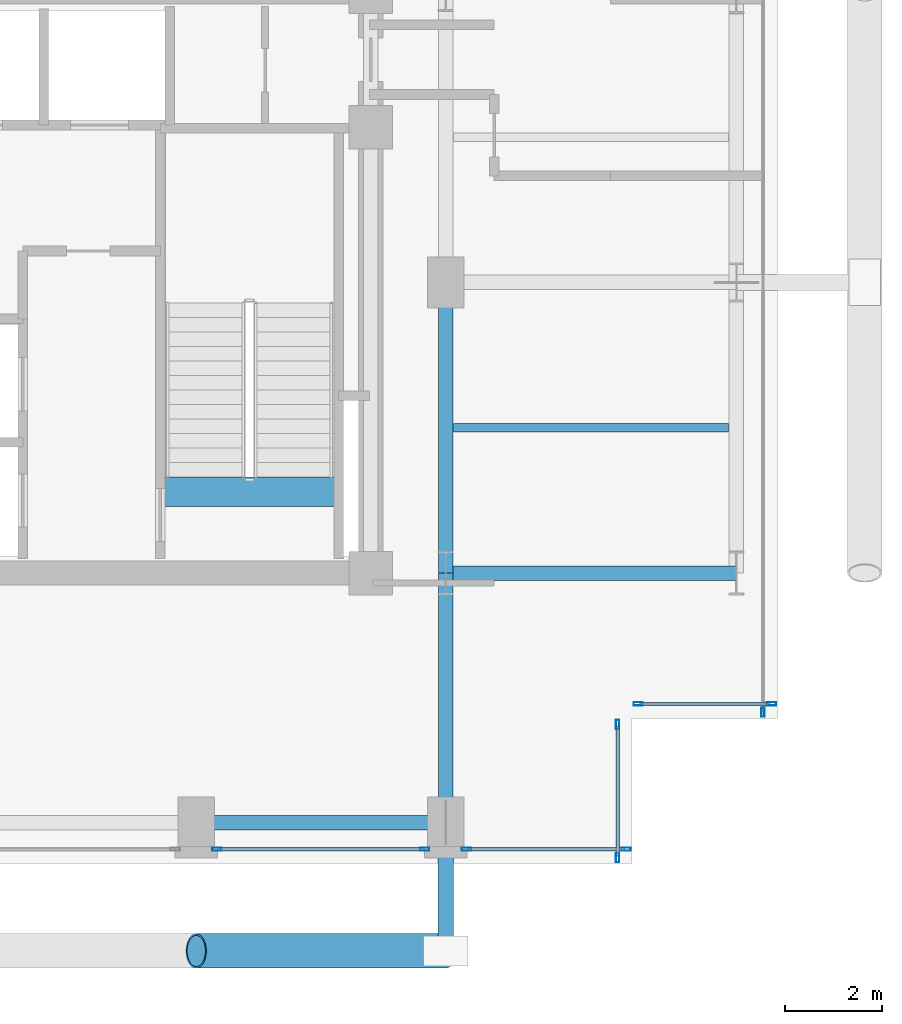
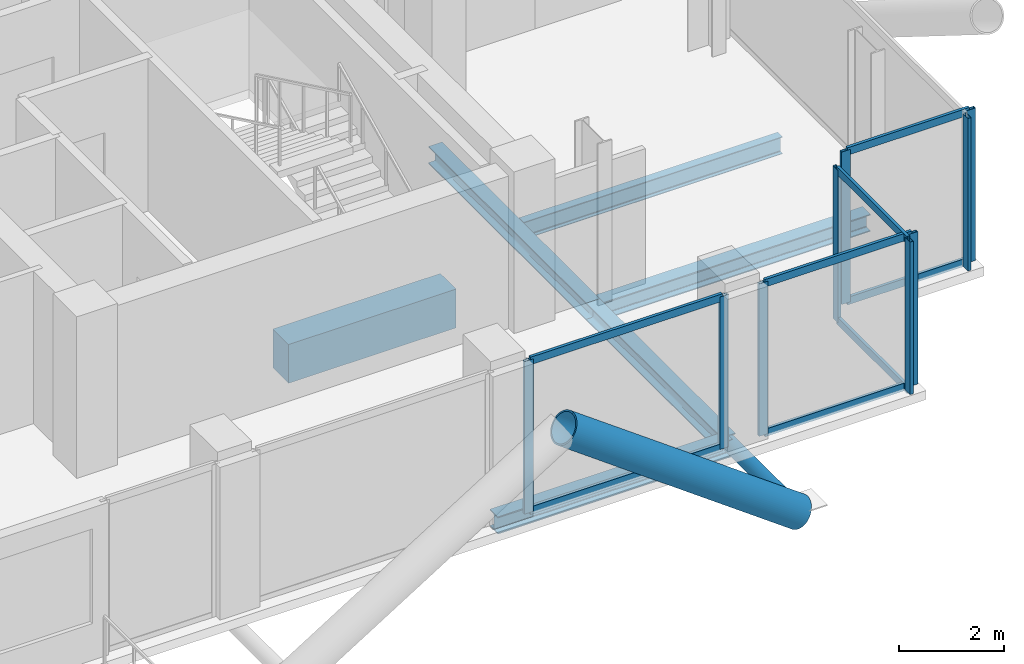
# One storey, part 10 of 21: 19 members, 6 beams, 5 elements without a shape of their own.
"""IFC4 building model written with IfcOpenShell, lengths in metres."""

from ifc_helpers import new_model, si_unit, direction, frame, origin, origin_2d, place, context, subcontext, project, spatial, rectangle, hollow_rectangle, hollow_circle, i_section, extrude, material, layer, layer_set, material_profile, profile_set, type_object, element, aggregate, save


model = new_model("IFC4")

# Units and contexts
model_context = context("Model", 3, precision=1e-05, world=origin(), true_north=direction((0.0, 1.0)))
body_context = subcontext(model_context, "Body", "Model", "MODEL_VIEW")
ifc_project = project(units=[si_unit("LENGTHUNIT", "METRE"), si_unit("AREAUNIT", "SQUARE_METRE"), si_unit("VOLUMEUNIT", "CUBIC_METRE"), si_unit("PLANEANGLEUNIT", "RADIAN"), si_unit("MASSUNIT", "GRAM", prefix="KILO"), si_unit("THERMODYNAMICTEMPERATUREUNIT", "KELVIN"), si_unit("POWERUNIT", "WATT")], contexts=[model_context])

# Site, building, storey
site_placement = place(None, origin())
site = spatial("IfcSite", under=ifc_project, at=site_placement, CompositionType="ELEMENT")
building_placement = place(site_placement, origin())
building = spatial("IfcBuilding", under=site, at=building_placement, Name="Svarakhadi Broadcast Tower", CompositionType="ELEMENT")
storey_placement = place(building_placement, frame((0.0, 0.0, 208.64990234375)))
storey = spatial("IfcBuildingStorey", under=building, at=storey_placement, Name="L51", CompositionType="ELEMENT", Elevation=208.64990234375)

# Beam
ifc_material_1 = material(Name="Steel S355J2 (IS 2062 E350C)", Category="steel")
ifc_material_profile_1 = material_profile(ifc_material_1, i_section(OverallWidth=0.179931640625, OverallDepth=0.39990234375, WebThickness=0.008544921875, FlangeThickness=0.013427734375, FilletRadius=0.02099609375, at=origin_2d()), Name="NPB 400x180x66")
ifc_profile_set_1 = profile_set([ifc_material_profile_1], Name="Steel S355J2 (IS 2062 E350C)")
beam_type_1 = type_object("IfcBeamType", Name="Beam_NPB400", PredefinedType="BEAM", material=ifc_profile_set_1)
beam_1_placement = place(storey_placement, frame((35.31005859375, 9.0, -0.409912109375), z_axis=(1.0, 0.0, 0.0), x_axis=(0.0, 1.0, 0.0)))
element("IfcBeam", 1, at=beam_1_placement, inside=storey, type_object=beam_type_1, Name="L51 Secondary Composite Beam SB016", PredefinedType="BEAM", context=body_context, shape_type="SweptSolid", body=[
    extrude(i_section(OverallWidth=0.179931640625, OverallDepth=0.39990234375, WebThickness=0.008544921875, FlangeThickness=0.013427734375, FilletRadius=0.02099609375, at=origin_2d()), origin(), (0.0, 0.0, 1.0), 5.679931640625),
])

# Curtain wall, member
ifc_material_2 = material(Name="Anodised Bronze Aluminium AA 6063-T6", Category="aluminium")
ifc_layer = layer(ifc_material_2, 0.18994140625)
ifc_layer_set = layer_set([ifc_layer], Name="Anodised Bronze Aluminium AA 6063-T6")
curtain_wall_type = type_object("IfcCurtainWallType", Name="CW_Sys_04", PredefinedType="NOTDEFINED", material=ifc_layer_set)
curtain_wall_1_placement = place(storey_placement, origin())
curtain_wall_1 = element("IfcCurtainWall", 2, at=curtain_wall_1_placement, inside=storey, type_object=curtain_wall_type, Name="L51 Unitised Facade Curtain Wall 13", PredefinedType="NOTDEFINED")
ifc_material_profile_2 = material_profile(ifc_material_2, hollow_rectangle(XDim=0.070068359375, YDim=0.18994140625, WallThickness=0.005615234375, at=origin_2d()), Name="ALU MULLION 190x70x6")
ifc_profile_set_2 = profile_set([ifc_material_profile_2], Name="Anodised Bronze Aluminium AA 6063-T6")
member_type_1 = type_object("IfcMemberType", Name="CW_Sys_04_Mul", PredefinedType="MULLION", material=ifc_profile_set_2)
member_1_placement = place(storey_placement, frame((41.699951171875, 3.125, 0.0), z_axis=(0.0, 0.0, 1.0), x_axis=(1.0, 0.0, 0.0)))
member_1 = element("IfcMember", 3, at=member_1_placement, type_object=member_type_1, Name="CW-04 mullion 2", PredefinedType="MULLION", context=body_context, shape_type="SweptSolid", body=[
    extrude(hollow_rectangle(XDim=0.070068359375, YDim=0.18994140625, WallThickness=0.005615234375, at=origin_2d()), origin(), (0.0, 0.0, 1.0), 3.5400390625),
])
aggregate(curtain_wall_1, [member_1])

# Curtain wall, members
curtain_wall_2_placement = place(storey_placement, origin())
curtain_wall_2 = element("IfcCurtainWall", 4, at=curtain_wall_2_placement, inside=storey, type_object=curtain_wall_type, Name="L51 Unitised Facade Curtain Wall 14", PredefinedType="NOTDEFINED")
member_2_placement = place(storey_placement, frame((41.875, 3.300048828125, 0.0), z_axis=(0.0, 0.0, 1.0), x_axis=(0.0, -1.0, 0.0)))
member_2 = element("IfcMember", 5, at=member_2_placement, type_object=member_type_1, Name="CW-04 mullion 1", PredefinedType="MULLION", context=body_context, shape_type="SweptSolid", body=[
    extrude(hollow_rectangle(XDim=0.070068359375, YDim=0.18994140625, WallThickness=0.005615234375, at=origin_2d()), origin(), (0.0, 0.0, 1.0), 3.5400390625),
])
member_3_placement = place(storey_placement, frame((39.125, 3.300048828125, 0.0), z_axis=(0.0, 0.0, 1.0), x_axis=(0.0, -1.0, 0.0)))
member_3 = element("IfcMember", 6, at=member_3_placement, type_object=member_type_1, Name="CW-04 mullion 2", PredefinedType="MULLION", context=body_context, shape_type="SweptSolid", body=[
    extrude(hollow_rectangle(XDim=0.070068359375, YDim=0.18994140625, WallThickness=0.005615234375, at=origin_2d()), origin(), (0.0, 0.0, 1.0), 3.5400390625),
])

curtain_wall_3_placement = place(storey_placement, origin())
curtain_wall_3 = element("IfcCurtainWall", 7, at=curtain_wall_3_placement, inside=storey, type_object=curtain_wall_type, Name="L51 Unitised Facade Curtain Wall 15", PredefinedType="NOTDEFINED")
member_4_placement = place(storey_placement, frame((38.699951171875, 2.875, 0.0), z_axis=(0.0, 0.0, 1.0), x_axis=(1.0, 0.0, 0.0)))
member_4 = element("IfcMember", 8, at=member_4_placement, type_object=member_type_1, Name="CW-04 mullion 1", PredefinedType="MULLION", context=body_context, shape_type="SweptSolid", body=[
    extrude(hollow_rectangle(XDim=0.070068359375, YDim=0.18994140625, WallThickness=0.005615234375, at=origin_2d()), origin(), (0.0, 0.0, 1.0), 3.5400390625),
])
member_5_placement = place(storey_placement, frame((38.699951171875, 0.125, 0.0), z_axis=(0.0, 0.0, 1.0), x_axis=(1.0, 0.0, 0.0)))
member_5 = element("IfcMember", 9, at=member_5_placement, type_object=member_type_1, Name="CW-04 mullion 2", PredefinedType="MULLION", context=body_context, shape_type="SweptSolid", body=[
    extrude(hollow_rectangle(XDim=0.070068359375, YDim=0.18994140625, WallThickness=0.005615234375, at=origin_2d()), origin(), (0.0, 0.0, 1.0), 3.5400390625),
])

curtain_wall_4_placement = place(storey_placement, origin())
curtain_wall_4 = element("IfcCurtainWall", 10, at=curtain_wall_4_placement, inside=storey, type_object=curtain_wall_type, Name="L51 South Curtain Wall 16 Bay 1", PredefinedType="NOTDEFINED")
member_6_placement = place(storey_placement, frame((38.875, 0.300048828125, 0.0), z_axis=(0.0, 0.0, 1.0), x_axis=(0.0, -1.0, 0.0)))
member_6 = element("IfcMember", 11, at=member_6_placement, type_object=member_type_1, Name="CW-04 mullion 1", PredefinedType="MULLION", context=body_context, shape_type="SweptSolid", body=[
    extrude(hollow_rectangle(XDim=0.070068359375, YDim=0.18994140625, WallThickness=0.005615234375, at=origin_2d()), origin(), (0.0, 0.0, 1.0), 3.5400390625),
])
member_7_placement = place(storey_placement, frame((35.580078125, 0.300048828125, 0.0), z_axis=(0.0, 0.0, 1.0), x_axis=(0.0, -1.0, 0.0)))
member_7 = element("IfcMember", 12, at=member_7_placement, type_object=member_type_1, Name="CW-04 mullion 2", PredefinedType="MULLION", context=body_context, shape_type="SweptSolid", body=[
    extrude(hollow_rectangle(XDim=0.070068359375, YDim=0.18994140625, WallThickness=0.005615234375, at=origin_2d()), origin(), (0.0, 0.0, 1.0), 3.5400390625),
])

curtain_wall_5_placement = place(storey_placement, origin())
curtain_wall_5 = element("IfcCurtainWall", 13, at=curtain_wall_5_placement, inside=storey, type_object=curtain_wall_type, Name="L51 South Curtain Wall 16 Bay 2", PredefinedType="NOTDEFINED")
member_8_placement = place(storey_placement, frame((34.719970703125, 0.300048828125, 0.0), z_axis=(0.0, 0.0, 1.0), x_axis=(0.0, -1.0, 0.0)))
member_8 = element("IfcMember", 14, at=member_8_placement, type_object=member_type_1, Name="CW-04 mullion 1", PredefinedType="MULLION", context=body_context, shape_type="SweptSolid", body=[
    extrude(hollow_rectangle(XDim=0.070068359375, YDim=0.18994140625, WallThickness=0.005615234375, at=origin_2d()), origin(), (0.0, 0.0, 1.0), 3.5400390625),
])
member_9_placement = place(storey_placement, frame((30.429931640625, 0.300048828125, 0.0), z_axis=(0.0, 0.0, 1.0), x_axis=(0.0, -1.0, 0.0)))
member_9 = element("IfcMember", 15, at=member_9_placement, type_object=member_type_1, Name="CW-04 mullion 2", PredefinedType="MULLION", context=body_context, shape_type="SweptSolid", body=[
    extrude(hollow_rectangle(XDim=0.070068359375, YDim=0.18994140625, WallThickness=0.005615234375, at=origin_2d()), origin(), (0.0, 0.0, 1.0), 3.5400390625),
])

# Member
ifc_material_profile_3 = material_profile(ifc_material_2, hollow_rectangle(XDim=0.06494140625, YDim=0.175048828125, WallThickness=0.0048828125, at=origin_2d()), Name="ALU TRANSOM 175x65x5")
ifc_profile_set_3 = profile_set([ifc_material_profile_3], Name="Anodised Bronze Aluminium AA 6063-T6")
member_type_2 = type_object("IfcMemberType", Name="CW_Sys_04_Trn", PredefinedType="USERDEFINED", material=ifc_profile_set_3)
member_10_placement = place(storey_placement, frame((41.840087890625, 3.300048828125, 0.03271484375), z_axis=(-1.0, 0.0, 0.0), x_axis=(0.0, -1.0, 0.0)))
member_10 = element("IfcMember", 16, at=member_10_placement, type_object=member_type_2, Name="CW-04 transom 1.1", ObjectType="TRANSOM", PredefinedType="USERDEFINED", context=body_context, shape_type="SweptSolid", body=[
    extrude(hollow_rectangle(XDim=0.06494140625, YDim=0.175048828125, WallThickness=0.0048828125, at=origin_2d()), origin(), (0.0, 0.0, 1.0), 2.68017578125),
])

member_11_placement = place(storey_placement, frame((41.840087890625, 3.300048828125, 3.507568359375), z_axis=(-1.0, 0.0, 0.0), x_axis=(0.0, -1.0, 0.0)))
member_11 = element("IfcMember", 17, at=member_11_placement, type_object=member_type_2, Name="CW-04 transom 1.2", ObjectType="TRANSOM", PredefinedType="USERDEFINED", context=body_context, shape_type="SweptSolid", body=[
    extrude(hollow_rectangle(XDim=0.06494140625, YDim=0.175048828125, WallThickness=0.0048828125, at=origin_2d()), origin(), (0.0, 0.0, 1.0), 2.68017578125),
])

aggregate(curtain_wall_2, [member_2, member_3, member_10, member_11])

member_12_placement = place(storey_placement, frame((38.699951171875, 2.840087890625, 0.03271484375), z_axis=(0.0, -1.0, 0.0), x_axis=(1.0, 0.0, 0.0)))
member_12 = element("IfcMember", 18, at=member_12_placement, type_object=member_type_2, Name="CW-04 transom 1.1", ObjectType="TRANSOM", PredefinedType="USERDEFINED", context=body_context, shape_type="SweptSolid", body=[
    extrude(hollow_rectangle(XDim=0.06494140625, YDim=0.175048828125, WallThickness=0.0048828125, at=origin_2d()), origin(), (0.0, 0.0, 1.0), 2.68017578125),
])

member_13_placement = place(storey_placement, frame((38.699951171875, 2.840087890625, 3.507568359375), z_axis=(0.0, -1.0, 0.0), x_axis=(1.0, 0.0, 0.0)))
member_13 = element("IfcMember", 19, at=member_13_placement, type_object=member_type_2, Name="CW-04 transom 1.2", ObjectType="TRANSOM", PredefinedType="USERDEFINED", context=body_context, shape_type="SweptSolid", body=[
    extrude(hollow_rectangle(XDim=0.06494140625, YDim=0.175048828125, WallThickness=0.0048828125, at=origin_2d()), origin(), (0.0, 0.0, 1.0), 2.68017578125),
])

aggregate(curtain_wall_3, [member_4, member_5, member_12, member_13])

member_14_placement = place(storey_placement, frame((38.840087890625, 0.300048828125, 0.03271484375), z_axis=(-1.0, 0.0, 0.0), x_axis=(0.0, -1.0, 0.0)))
member_14 = element("IfcMember", 20, at=member_14_placement, type_object=member_type_2, Name="CW-04 transom 1.1", ObjectType="TRANSOM", PredefinedType="USERDEFINED", context=body_context, shape_type="SweptSolid", body=[
    extrude(hollow_rectangle(XDim=0.06494140625, YDim=0.175048828125, WallThickness=0.0048828125, at=origin_2d()), origin(), (0.0, 0.0, 1.0), 3.22509765625),
])

member_15_placement = place(storey_placement, frame((38.840087890625, 0.300048828125, 3.507568359375), z_axis=(-1.0, 0.0, 0.0), x_axis=(0.0, -1.0, 0.0)))
member_15 = element("IfcMember", 21, at=member_15_placement, type_object=member_type_2, Name="CW-04 transom 1.2", ObjectType="TRANSOM", PredefinedType="USERDEFINED", context=body_context, shape_type="SweptSolid", body=[
    extrude(hollow_rectangle(XDim=0.06494140625, YDim=0.175048828125, WallThickness=0.0048828125, at=origin_2d()), origin(), (0.0, 0.0, 1.0), 3.22509765625),
])

aggregate(curtain_wall_4, [member_6, member_7, member_14, member_15])

member_16_placement = place(storey_placement, frame((34.68505859375, 0.300048828125, 0.03271484375), z_axis=(-1.0, 0.0, 0.0), x_axis=(0.0, -1.0, 0.0)))
member_16 = element("IfcMember", 22, at=member_16_placement, type_object=member_type_2, Name="CW-04 transom 1.1", ObjectType="TRANSOM", PredefinedType="USERDEFINED", context=body_context, shape_type="SweptSolid", body=[
    extrude(hollow_rectangle(XDim=0.06494140625, YDim=0.175048828125, WallThickness=0.0048828125, at=origin_2d()), origin(), (0.0, 0.0, 1.0), 4.219970703125),
])

member_17_placement = place(storey_placement, frame((34.68505859375, 0.300048828125, 3.507568359375), z_axis=(-1.0, 0.0, 0.0), x_axis=(0.0, -1.0, 0.0)))
member_17 = element("IfcMember", 23, at=member_17_placement, type_object=member_type_2, Name="CW-04 transom 1.2", ObjectType="TRANSOM", PredefinedType="USERDEFINED", context=body_context, shape_type="SweptSolid", body=[
    extrude(hollow_rectangle(XDim=0.06494140625, YDim=0.175048828125, WallThickness=0.0048828125, at=origin_2d()), origin(), (0.0, 0.0, 1.0), 4.219970703125),
])

aggregate(curtain_wall_5, [member_8, member_9, member_16, member_17])

# Beam
ifc_material_3 = material(Name="Concrete C50/60 (IS 456 M60)", Category="concrete")
ifc_material_profile_4 = material_profile(ifc_material_3, rectangle(XDim=0.60009765625, YDim=0.89990234375, at=origin_2d()), Name="RC 600x900")
ifc_profile_set_4 = profile_set([ifc_material_profile_4], Name="Concrete C50/60 (IS 456 M60)")
beam_type_2 = type_object("IfcBeamType", Name="Coupling_RC600", PredefinedType="USERDEFINED", material=ifc_profile_set_4)
beam_2_placement = place(storey_placement, frame((29.260009765625, 7.679931640625, -0.449951171875), z_axis=(1.0, 0.0, 0.0), x_axis=(0.0, 1.0, 0.0)))
element("IfcBeam", 24, at=beam_2_placement, inside=storey, type_object=beam_type_2, Name="L51 Stair ST-02 Landing Throat Trimmer Beam CB-01", ObjectType="GIRDER", PredefinedType="USERDEFINED", context=body_context, shape_type="SweptSolid", body=[
    extrude(rectangle(XDim=0.60009765625, YDim=0.89990234375, at=origin_2d()), origin(), (0.0, 0.0, 1.0), 3.679931640625),
])

# Members
ifc_material_4 = material(Name="Steel S460ML (IS 2062 E450BR)", Category="steel")
ifc_material_profile_5 = material_profile(ifc_material_4, hollow_circle(Radius=0.35546875, WallThickness=0.034912109375, at=origin_2d()), Name="CHS 711x35")
ifc_profile_set_5 = profile_set([ifc_material_profile_5], Name="Steel S460ML (IS 2062 E450BR)")
member_type_3 = type_object("IfcMemberType", Name="Exo_Brace_CHS711", PredefinedType="BRACE", material=ifc_profile_set_5)
member_18_placement = place(storey_placement, frame((35.14990234375, -1.800048828125, -0.371826171875), z_axis=(-0.808391243061, 0.0, 0.588645562407), x_axis=(0.0, -1.0, 0.0)))
element("IfcMember", 25, at=member_18_placement, inside=storey, type_object=member_type_3, Name="L51 Exposed Bronze Exoskeleton Diagonal S02", PredefinedType="BRACE", context=body_context, shape_type="SweptSolid", body=[
    extrude(hollow_circle(Radius=0.35546875, WallThickness=0.034912109375, at=origin_2d()), origin(), (0.0, 0.0, 1.0), 6.37060546875),
])
ifc_material_profile_6 = material_profile(ifc_material_4, hollow_circle(Radius=0.161865234375, WallThickness=0.01611328125, at=origin_2d()), Name="CHS 323.9x16")
ifc_profile_set_6 = profile_set([ifc_material_profile_6], Name="Steel S460ML (IS 2062 E450BR)")
member_type_4 = type_object("IfcMemberType", Name="Exo_Radial_Strut_Z2", PredefinedType="STRUT", material=ifc_profile_set_6)
member_19_placement = place(storey_placement, frame((35.14990234375, -1.800048828125, -0.371826171875), z_axis=(0.0, 1.0, 0.0), x_axis=(-1.0, 0.0, 0.0)))
element("IfcMember", 26, at=member_19_placement, inside=storey, type_object=member_type_4, Name="L51 Exoskeleton Radial Tie Strut S03", PredefinedType="STRUT", context=body_context, shape_type="SweptSolid", body=[
    extrude(hollow_circle(Radius=0.161865234375, WallThickness=0.01611328125, at=origin_2d()), origin(), (0.0, 0.0, 1.0), 2.650146484375),
])

# Beams
ifc_material_profile_7 = material_profile(ifc_material_1, i_section(OverallWidth=0.300048828125, OverallDepth=0.39990234375, WebThickness=0.013427734375, FlangeThickness=0.02392578125, FilletRadius=0.027099609375, at=origin_2d()), Name="WPB 400x300x155")
ifc_profile_set_7 = profile_set([ifc_material_profile_7], Name="Steel S355J2 (IS 2062 E350C)")
beam_type_3 = type_object("IfcBeamType", Name="Girder_WPB400", PredefinedType="USERDEFINED", material=ifc_profile_set_7)
beam_3_placement = place(storey_placement, frame((30.0, 0.85009765625, -0.409912109375), z_axis=(1.0, 0.0, 0.0), x_axis=(0.0, 1.0, 0.0)))
element("IfcBeam", 27, at=beam_3_placement, inside=storey, type_object=beam_type_3, Name="L51 Primary E-W Girder G008", ObjectType="GIRDER", PredefinedType="USERDEFINED", context=body_context, shape_type="SweptSolid", body=[
    extrude(i_section(OverallWidth=0.300048828125, OverallDepth=0.39990234375, WebThickness=0.013427734375, FlangeThickness=0.02392578125, FilletRadius=0.027099609375, at=origin_2d()), origin(), (0.0, 0.0, 1.0), 5.14990234375),
])
beam_4_placement = place(storey_placement, frame((35.14990234375, 6.0, -0.409912109375), z_axis=(1.0, 0.0, 0.0), x_axis=(0.0, 1.0, 0.0)))
element("IfcBeam", 28, at=beam_4_placement, inside=storey, type_object=beam_type_3, Name="L51 Primary E-W Girder G014", ObjectType="GIRDER", PredefinedType="USERDEFINED", context=body_context, shape_type="SweptSolid", body=[
    extrude(i_section(OverallWidth=0.300048828125, OverallDepth=0.39990234375, WebThickness=0.013427734375, FlangeThickness=0.02392578125, FilletRadius=0.027099609375, at=origin_2d()), origin(), (0.0, 0.0, 1.0), 6.0),
])
beam_5_placement = place(storey_placement, frame((35.14990234375, 0.85009765625, -0.409912109375), z_axis=(0.0, 1.0, 0.0), x_axis=(-1.0, 0.0, 0.0)))
element("IfcBeam", 29, at=beam_5_placement, inside=storey, type_object=beam_type_3, Name="L51 Primary N-S Girder G056", ObjectType="GIRDER", PredefinedType="USERDEFINED", context=body_context, shape_type="SweptSolid", body=[
    extrude(i_section(OverallWidth=0.300048828125, OverallDepth=0.39990234375, WebThickness=0.013427734375, FlangeThickness=0.02392578125, FilletRadius=0.027099609375, at=origin_2d()), origin(), (0.0, 0.0, 1.0), 5.14990234375),
])
beam_6_placement = place(storey_placement, frame((35.14990234375, 6.0, -0.409912109375), z_axis=(0.0, 1.0, 0.0), x_axis=(-1.0, 0.0, 0.0)))
element("IfcBeam", 30, at=beam_6_placement, inside=storey, type_object=beam_type_3, Name="L51 Primary N-S Girder G057", ObjectType="GIRDER", PredefinedType="USERDEFINED", context=body_context, shape_type="SweptSolid", body=[
    extrude(i_section(OverallWidth=0.300048828125, OverallDepth=0.39990234375, WebThickness=0.013427734375, FlangeThickness=0.02392578125, FilletRadius=0.027099609375, at=origin_2d()), origin(), (0.0, 0.0, 1.0), 6.0),
])

save(model, "model.ifc")
